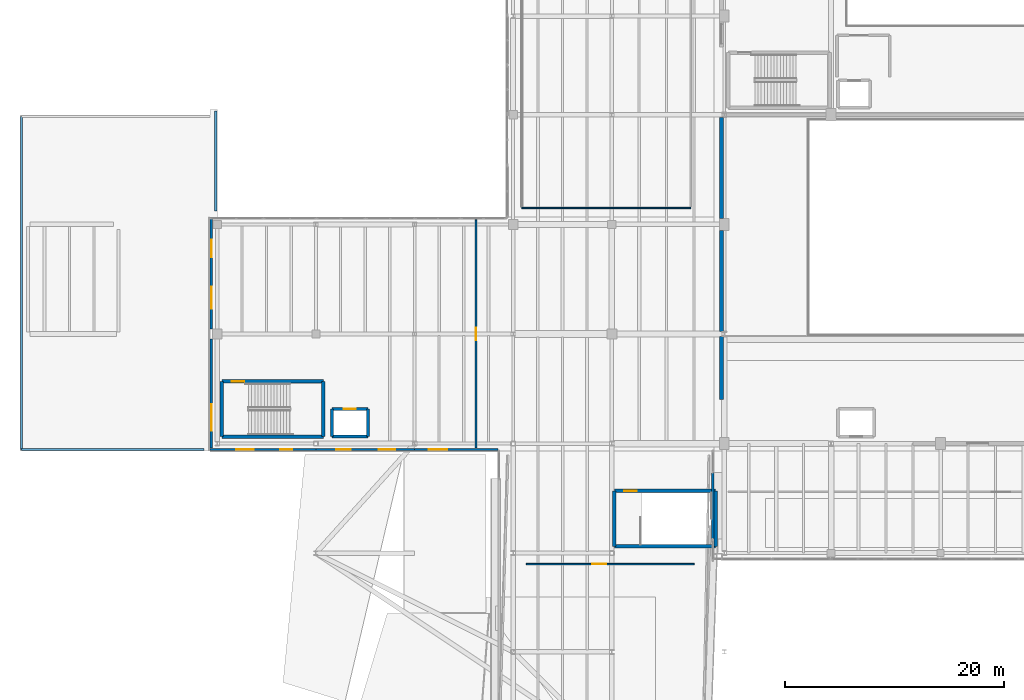
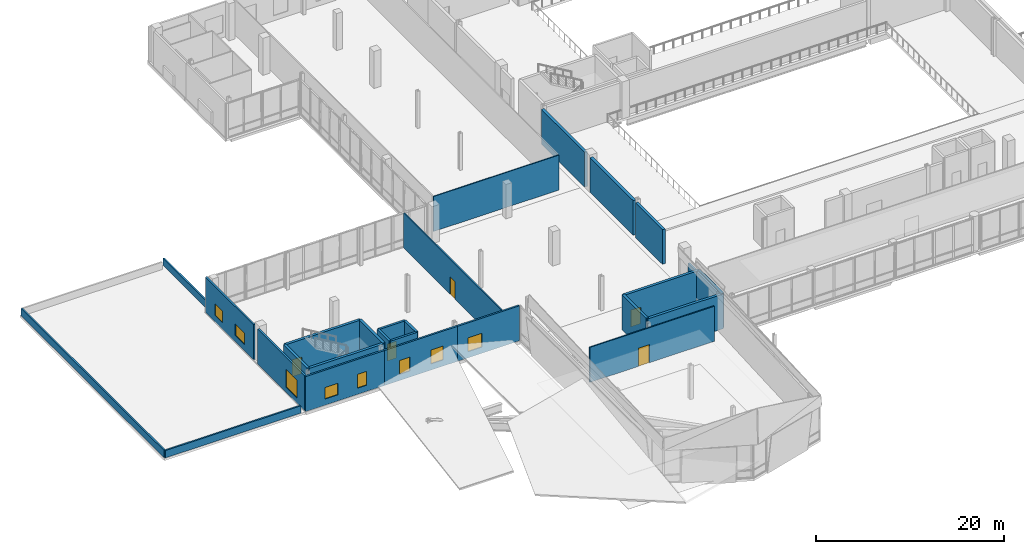
# One storey, part 28 of 41: 27 walls, 8 windows, 5 doors, 13 openings.
"""IFC4 building model written with IfcOpenShell, lengths in metres."""

from ifc_helpers import new_model, si_unit, direction, frame, frame_2d, origin, place, context, subcontext, project, spatial, rectangle, extrude, material, layer, layer_set, type_object, element, fill, save


model = new_model("IFC4")

# Units and contexts
model_context = context("Model", 3, precision=1e-05, world=origin(), true_north=direction((0.0, 1.0)))
body_context = subcontext(model_context, "Body", "Model", "MODEL_VIEW")
ifc_project = project(units=[si_unit("LENGTHUNIT", "METRE"), si_unit("AREAUNIT", "SQUARE_METRE"), si_unit("VOLUMEUNIT", "CUBIC_METRE"), si_unit("PLANEANGLEUNIT", "RADIAN"), si_unit("MASSUNIT", "GRAM", prefix="KILO")], contexts=[model_context])

# Site, building, storey
site_placement = place(None, origin())
site = spatial("IfcSite", under=ifc_project, at=site_placement, CompositionType="ELEMENT")
building_placement = place(site_placement, origin())
building = spatial("IfcBuilding", under=site, at=building_placement, Name="Trimount Lyric Opera House", CompositionType="ELEMENT")
storey_placement = place(building_placement, frame((0.0, 0.0, 20.0)))
storey = spatial("IfcBuildingStorey", under=building, at=storey_placement, Name="L04", CompositionType="ELEMENT", Elevation=20.0)

# Walls
ifc_material_1 = material(Name="Precast concrete C40/50", Category="concrete")
ifc_layer_1 = layer(ifc_material_1, 0.18994140625)
ifc_layer_set_1 = layer_set([ifc_layer_1], Name="WL-PA190")
wall_type_1 = type_object("IfcWallType", Name="WL-PA190", PredefinedType="PARAPET", material=ifc_layer_set_1)
wall_1_placement = place(storey_placement, frame((17.860107421875, 84.360107421875, 0.0), z_axis=(0.0, 0.0, 1.0), x_axis=(0.0, -1.0, 0.0)))
element("IfcWall", 1, at=wall_1_placement, inside=storey, type_object=wall_type_1, Name="L04 roof parapet 018", PredefinedType="PARAPET", context=body_context, shape_type="SweptSolid", body=[
    extrude(rectangle(XDim=9.130126953125, YDim=0.18994140625, at=frame_2d((4.56494140625, 0.0))), origin(), (0.0, 0.0, 1.0), 0.949951171875),
])
wall_2_placement = place(storey_placement, frame((16.77001953125, 53.4599609375, 0.0), z_axis=(0.0, 0.0, 1.0), x_axis=(-1.0, 0.0, 0.0)))
element("IfcWall", 2, at=wall_2_placement, inside=storey, type_object=wall_type_1, Name="L04 roof parapet 019", PredefinedType="PARAPET", context=body_context, shape_type="SweptSolid", body=[
    extrude(rectangle(XDim=16.630126953125, YDim=0.18994140625, at=frame_2d((8.31494140625, 0.0))), origin(), (0.0, 0.0, 1.0), 0.949951171875),
])
wall_3_placement = place(storey_placement, frame((0.139892578125, 53.4599609375, 0.0), z_axis=(0.0, 0.0, 1.0), x_axis=(0.0, 1.0, 0.0)))
element("IfcWall", 3, at=wall_3_placement, inside=storey, type_object=wall_type_1, Name="L04 roof parapet 020", PredefinedType="PARAPET", context=body_context, shape_type="SweptSolid", body=[
    extrude(rectangle(XDim=30.400146484375, YDim=0.18994140625, at=frame_2d((15.2001953125, 0.0))), origin(), (0.0, 0.0, 1.0), 0.949951171875),
])
ifc_material_2 = material(Name="Gypsum Board Partition")
ifc_layer_2 = layer(ifc_material_2, 0.1201171875)
ifc_layer_set_2 = layer_set([ifc_layer_2], Name="WL-PT120")
wall_type_2 = type_object("IfcWallType", Name="WL-PT120", PredefinedType="PARTITIONING", material=ifc_layer_set_2)
wall_4_placement = place(storey_placement, frame((45.800048828125, 75.5, 0.0), z_axis=(0.0, 0.0, 1.0), x_axis=(1.0, 0.0, 0.0)))
element("IfcWall", 4, at=wall_4_placement, inside=storey, type_object=wall_type_2, Name="L04 Civic Engagement & Administration S partition", PredefinedType="PARTITIONING", context=body_context, shape_type="SweptSolid", body=[
    extrude(rectangle(XDim=15.39990234375, YDim=0.1201171875, at=frame_2d((7.699951171875, 0.0))), origin(), (0.0, 0.0, 1.0), 4.5400390625),
])

# Wall, opening, door
ifc_material_3 = material(Name="Fire-Rated Gypsum Board Partition")
ifc_layer_3 = layer(ifc_material_3, 0.14990234375)
ifc_layer_set_3 = layer_set([ifc_layer_3], Name="WL-PT150")
wall_type_3 = type_object("IfcWallType", Name="WL-PT150", PredefinedType="PARTITIONING", material=ifc_layer_set_3)
wall_5_placement = place(storey_placement, frame((61.5, 43.0, 0.0), z_axis=(0.0, 0.0, 1.0), x_axis=(-1.0, 0.0, 0.0)))
wall_5 = element("IfcWall", 5, at=wall_5_placement, inside=storey, type_object=wall_type_3, Name="L04 Crystal Chamber Recital Hall N partition", PredefinedType="PARTITIONING", context=body_context, shape_type="SweptSolid", body=[
    extrude(rectangle(XDim=15.300048828125, YDim=0.14990234375, at=frame_2d((7.64990234375, 0.0))), origin(), (0.0, 0.0, 1.0), 4.5400390625),
])
opening_1_placement = place(wall_5_placement, frame((8.0, 0.0, 0.0)))
opening_1 = element("IfcOpeningElement", 6, at=opening_1_placement, cuts=wall_5, Name="Opening DT-AC1", PredefinedType="OPENING", context=body_context, shape_type="SweptSolid", body=[
    extrude(rectangle(XDim=1.300048828125, YDim=2.35009765625, at=frame_2d((0.64990234375, 1.175048828125))), frame((0.0, 0.0849609375, 0.0), z_axis=(0.0, -1.0, 0.0), x_axis=(1.0, 0.0, 0.0)), (0.0, 0.0, 1.0), 0.169921875),
])
ifc_material_4 = material(Name="Acoustic Steel-Core Timber", Category="steel")
door_type_1 = type_object("IfcDoorType", Name="DT-AC1", OperationType="NOTDEFINED", PredefinedType="DOOR", material=ifc_material_4)
door_1_placement = place(opening_1_placement, origin())
door_1 = element("IfcDoor", 7, at=door_1_placement, inside=storey, type_object=door_type_1, Name="D-235", OperationType="SINGLE_SWING_RIGHT", OverallHeight=2.35009765625, OverallWidth=1.300048828125, PredefinedType="DOOR", context=body_context, shape_type="SweptSolid", body=[
    extrude(rectangle(XDim=1.300048828125, YDim=2.35009765625, at=frame_2d((0.64990234375, 1.175048828125))), frame((0.0, 0.02490234375, 0.0), z_axis=(0.0, -1.0, 0.0), x_axis=(1.0, 0.0, 0.0)), (0.0, 0.0, 1.0), 0.050048828125),
])
fill(opening_1, door_1)

ifc_material_5 = material(Name="Acoustic Double-Stud Gypsum Board")
ifc_layer_4 = layer(ifc_material_5, 0.1650390625)
ifc_layer_set_4 = layer_set([ifc_layer_4], Name="WL-PT165")
wall_type_4 = type_object("IfcWallType", Name="WL-PT165", PredefinedType="PARTITIONING", material=ifc_layer_set_4)
wall_6_placement = place(storey_placement, frame((41.60009765625, 53.60009765625, 0.0), z_axis=(0.0, 0.0, 1.0), x_axis=(0.0, 1.0, 0.0)))
wall_6 = element("IfcWall", 8, at=wall_6_placement, inside=storey, type_object=wall_type_4, Name="L04 Youth Opera & Education Studio E partition", PredefinedType="PARTITIONING", context=body_context, shape_type="SweptSolid", body=[
    extrude(rectangle(XDim=20.7998046875, YDim=0.1650390625, at=frame_2d((10.39990234375, 0.0))), origin(), (0.0, 0.0, 1.0), 4.5400390625),
])
opening_2_placement = place(wall_6_placement, frame((9.840087890625, 0.0, 0.0)))
opening_2 = element("IfcOpeningElement", 9, at=opening_2_placement, cuts=wall_6, Name="Opening DT-AC2", PredefinedType="OPENING", context=body_context, shape_type="SweptSolid", body=[
    extrude(rectangle(XDim=1.1201171875, YDim=2.25, at=frame_2d((0.56005859375, 1.125))), frame((0.0, 0.092529296875, 0.0), z_axis=(0.0, -1.0, 0.0), x_axis=(1.0, 0.0, 0.0)), (0.0, 0.0, 1.0), 0.18505859375),
])
ifc_material_6 = material(Name="Acoustic Steel-Core Timber", Category="steel")
door_type_2 = type_object("IfcDoorType", Name="DT-AC2", OperationType="NOTDEFINED", PredefinedType="DOOR", material=ifc_material_6)
door_2_placement = place(opening_2_placement, origin())
door_2 = element("IfcDoor", 10, at=door_2_placement, inside=storey, type_object=door_type_2, Name="D-236", OperationType="SINGLE_SWING_LEFT", OverallHeight=2.25, OverallWidth=1.1201171875, PredefinedType="DOOR", context=body_context, shape_type="SweptSolid", body=[
    extrude(rectangle(XDim=1.1201171875, YDim=2.25, at=frame_2d((0.56005859375, 1.125))), frame((0.0, 0.02490234375, 0.0), z_axis=(0.0, -1.0, 0.0), x_axis=(1.0, 0.0, 0.0)), (0.0, 0.0, 1.0), 0.050048828125),
])
fill(opening_2, door_2)

# Wall
ifc_material_7 = material(Name="Concrete C40/50", Category="concrete")
ifc_layer_5 = layer(ifc_material_7, 0.280029296875)
ifc_layer_set_5 = layer_set([ifc_layer_5], Name="WL-SH280")
wall_type_5 = type_object("IfcWallType", Name="WL-SH280", PredefinedType="SHEAR", material=ifc_layer_set_5)
wall_7_placement = place(storey_placement, frame((28.4599609375, 54.659912109375, 0.0), z_axis=(0.0, 0.0, 1.0), x_axis=(1.0, 0.0, 0.0)))
element("IfcWall", 11, at=wall_7_placement, inside=storey, type_object=wall_type_5, Name="Lift LF-06 L04 south shaft wall", PredefinedType="SHEAR", context=body_context, shape_type="SweptSolid", body=[
    extrude(rectangle(XDim=3.280029296875, YDim=0.280029296875, at=frame_2d((1.64013671875, 0.0))), origin(), (0.0, 0.0, 1.0), 4.5400390625),
])

# Wall, opening, door
wall_8_placement = place(storey_placement, frame((31.739990234375, 57.139892578125, 0.0), z_axis=(0.0, 0.0, 1.0), x_axis=(-1.0, 0.0, 0.0)))
wall_8 = element("IfcWall", 12, at=wall_8_placement, inside=storey, type_object=wall_type_5, Name="Lift LF-06 L04 north shaft wall", PredefinedType="SHEAR", context=body_context, shape_type="SweptSolid", body=[
    extrude(rectangle(XDim=3.280029296875, YDim=0.280029296875, at=frame_2d((1.64013671875, 0.0))), origin(), (0.0, 0.0, 1.0), 4.5400390625),
])
opening_3_placement = place(wall_8_placement, frame((1.090087890625, 0.0, 0.0)))
opening_3 = element("IfcOpeningElement", 13, at=opening_3_placement, cuts=wall_8, Name="Opening DT-LD1", PredefinedType="OPENING", context=body_context, shape_type="SweptSolid", body=[
    extrude(rectangle(XDim=1.10009765625, YDim=2.199951171875, at=frame_2d((0.550048828125, 1.10009765625))), frame((0.0, 0.14990234375, 0.0), z_axis=(0.0, -1.0, 0.0), x_axis=(1.0, 0.0, 0.0)), (0.0, 0.0, 1.0), 0.300048828125),
])
ifc_material_8 = material(Name="Brushed Stainless Steel", Category="steel")
door_type_3 = type_object("IfcDoorType", Name="DT-LD1", OperationType="SLIDING_TO_LEFT", PredefinedType="DOOR", material=ifc_material_8)
door_3_placement = place(opening_3_placement, origin())
door_3 = element("IfcDoor", 14, at=door_3_placement, inside=storey, type_object=door_type_3, Name="D-112", OperationType="SLIDING_TO_LEFT", OverallHeight=2.199951171875, OverallWidth=1.10009765625, PredefinedType="DOOR", context=body_context, shape_type="SweptSolid", body=[
    extrude(rectangle(XDim=1.10009765625, YDim=2.199951171875, at=frame_2d((0.550048828125, 1.10009765625))), frame((0.0, 0.02490234375, 0.0), z_axis=(0.0, -1.0, 0.0), x_axis=(1.0, 0.0, 0.0)), (0.0, 0.0, 1.0), 0.050048828125),
])
fill(opening_3, door_3)

# Walls
for number, where, z_axis, x_axis, name in (
    (15, (28.4599609375, 57.139892578125, 0.0), (0.0, 0.0, 1.0), (0.0, -1.0, 0.0), "Lift LF-06 L04 west shaft wall"),
    (16, (31.739990234375, 54.659912109375, 0.0), (0.0, 0.0, 1.0), (0.0, 1.0, 0.0), "Lift LF-06 L04 east shaft wall"),
):
    element("IfcWall", number, at=place(storey_placement, frame(where, z_axis=z_axis, x_axis=x_axis)), inside=storey, type_object=wall_type_5, Name=name, PredefinedType="SHEAR", context=body_context, shape_type="SweptSolid", body=[
        extrude(rectangle(XDim=2.47998046875, YDim=0.280029296875, at=frame_2d((1.239990234375, 0.0))), origin(), (0.0, 0.0, 1.0), 4.5400390625),
    ])
ifc_material_9 = material(Name="Concrete C40/50", Category="concrete")
ifc_layer_6 = layer(ifc_material_9, 0.320068359375)
ifc_layer_set_6 = layer_set([ifc_layer_6], Name="WL-SH320")
wall_type_6 = type_object("IfcWallType", Name="WL-SH320", PredefinedType="SHEAR", material=ifc_layer_set_6)
wall_9_placement = place(storey_placement, frame((18.425048828125, 54.625, 0.0), z_axis=(0.0, 0.0, 1.0), x_axis=(1.0, 0.0, 0.0)))
element("IfcWall", 17, at=wall_9_placement, inside=storey, type_object=wall_type_6, Name="K6 L04 south shaft wall", PredefinedType="SHEAR", context=body_context, shape_type="SweptSolid", body=[
    extrude(rectangle(XDim=9.25, YDim=0.320068359375, at=frame_2d((4.625, 0.0))), origin(), (0.0, 0.0, 1.0), 4.5400390625),
])

# Wall, opening, door
wall_10_placement = place(storey_placement, frame((27.675048828125, 59.675048828125, 0.0), z_axis=(0.0, 0.0, 1.0), x_axis=(-1.0, 0.0, 0.0)))
wall_10 = element("IfcWall", 18, at=wall_10_placement, inside=storey, type_object=wall_type_6, Name="K6 L04 north shaft wall", PredefinedType="SHEAR", context=body_context, shape_type="SweptSolid", body=[
    extrude(rectangle(XDim=9.25, YDim=0.320068359375, at=frame_2d((4.625, 0.0))), origin(), (0.0, 0.0, 1.0), 4.5400390625),
])
opening_4_placement = place(wall_10_placement, frame((7.199951171875, 0.0, 0.0)))
opening_4 = element("IfcOpeningElement", 19, at=opening_4_placement, cuts=wall_10, Name="Opening DT-ST1", PredefinedType="OPENING", context=body_context, shape_type="SweptSolid", body=[
    extrude(rectangle(XDim=1.14990234375, YDim=2.199951171875, at=frame_2d((0.574951171875, 1.10009765625))), frame((0.0, 0.169921875, 0.0), z_axis=(0.0, -1.0, 0.0), x_axis=(1.0, 0.0, 0.0)), (0.0, 0.0, 1.0), 0.340087890625),
])
ifc_material_10 = material(Name="Fire-Rated Hollow Steel", Category="steel")
door_type_4 = type_object("IfcDoorType", Name="DT-ST1", OperationType="NOTDEFINED", PredefinedType="DOOR", material=ifc_material_10)
door_4_placement = place(opening_4_placement, origin())
door_4 = element("IfcDoor", 20, at=door_4_placement, inside=storey, type_object=door_type_4, Name="D-050", OperationType="SINGLE_SWING_RIGHT", OverallHeight=2.199951171875, OverallWidth=1.14990234375, PredefinedType="DOOR", context=body_context, shape_type="SweptSolid", body=[
    extrude(rectangle(XDim=1.14990234375, YDim=2.199951171875, at=frame_2d((0.574951171875, 1.10009765625))), frame((0.0, 0.02490234375, 0.0), z_axis=(0.0, -1.0, 0.0), x_axis=(1.0, 0.0, 0.0)), (0.0, 0.0, 1.0), 0.050048828125),
])
fill(opening_4, door_4)

# Walls
for number, where, z_axis, x_axis, name in (
    (21, (18.425048828125, 59.675048828125, 0.0), (0.0, 0.0, 1.0), (0.0, -1.0, 0.0), "K6 L04 west shaft wall"),
    (22, (27.675048828125, 54.625, 0.0), (0.0, 0.0, 1.0), (0.0, 1.0, 0.0), "K6 L04 east shaft wall"),
):
    element("IfcWall", number, at=place(storey_placement, frame(where, z_axis=z_axis, x_axis=x_axis)), inside=storey, type_object=wall_type_6, Name=name, PredefinedType="SHEAR", context=body_context, shape_type="SweptSolid", body=[
        extrude(rectangle(XDim=5.050048828125, YDim=0.320068359375, at=frame_2d((2.52490234375, 0.0))), origin(), (0.0, 0.0, 1.0), 4.5400390625),
    ])
wall_11_placement = place(storey_placement, frame((54.22509765625, 44.625, 0.0), z_axis=(0.0, 0.0, 1.0), x_axis=(1.0, 0.0, 0.0)))
element("IfcWall", 23, at=wall_11_placement, inside=storey, type_object=wall_type_6, Name="K7 L04 south shaft wall", PredefinedType="SHEAR", context=body_context, shape_type="SweptSolid", body=[
    extrude(rectangle(XDim=9.25, YDim=0.320068359375, at=frame_2d((4.625, 0.0))), origin(), (0.0, 0.0, 1.0), 4.510009765625),
])

# Wall, opening, door
wall_12_placement = place(storey_placement, frame((63.47509765625, 49.675048828125, 0.0), z_axis=(0.0, 0.0, 1.0), x_axis=(-1.0, 0.0, 0.0)))
wall_12 = element("IfcWall", 24, at=wall_12_placement, inside=storey, type_object=wall_type_6, Name="K7 L04 north shaft wall", PredefinedType="SHEAR", context=body_context, shape_type="SweptSolid", body=[
    extrude(rectangle(XDim=9.25, YDim=0.320068359375, at=frame_2d((4.625, 0.0))), origin(), (0.0, 0.0, 1.0), 4.510009765625),
])
opening_5_placement = place(wall_12_placement, frame((7.199951171875, 0.0, 0.0)))
opening_5 = element("IfcOpeningElement", 25, at=opening_5_placement, cuts=wall_12, Name="Opening DT-ST1", PredefinedType="OPENING", context=body_context, shape_type="SweptSolid", body=[
    extrude(rectangle(XDim=1.14990234375, YDim=2.199951171875, at=frame_2d((0.574951171875, 1.10009765625))), frame((0.0, 0.169921875, 0.0), z_axis=(0.0, -1.0, 0.0), x_axis=(1.0, 0.0, 0.0)), (0.0, 0.0, 1.0), 0.340087890625),
])
door_5_placement = place(opening_5_placement, origin())
door_5 = element("IfcDoor", 26, at=door_5_placement, inside=storey, type_object=door_type_4, Name="D-056", OperationType="SINGLE_SWING_RIGHT", OverallHeight=2.199951171875, OverallWidth=1.14990234375, PredefinedType="DOOR", context=body_context, shape_type="SweptSolid", body=[
    extrude(rectangle(XDim=1.14990234375, YDim=2.199951171875, at=frame_2d((0.574951171875, 1.10009765625))), frame((0.0, 0.02490234375, 0.0), z_axis=(0.0, -1.0, 0.0), x_axis=(1.0, 0.0, 0.0)), (0.0, 0.0, 1.0), 0.050048828125),
])
fill(opening_5, door_5)

# Walls
wall_13_placement = place(storey_placement, frame((54.22509765625, 49.675048828125, 0.0), z_axis=(0.0, 0.0, 1.0), x_axis=(0.0, -1.0, 0.0)))
element("IfcWall", 27, at=wall_13_placement, inside=storey, type_object=wall_type_6, Name="K7 L04 west shaft wall", PredefinedType="SHEAR", context=body_context, shape_type="SweptSolid", body=[
    extrude(rectangle(XDim=5.050048828125, YDim=0.320068359375, at=frame_2d((2.52490234375, 0.0))), origin(), (0.0, 0.0, 1.0), 4.5400390625),
])
wall_14_placement = place(storey_placement, frame((63.47509765625, 44.625, 0.0), z_axis=(0.0, 0.0, 1.0), x_axis=(0.0, 1.0, 0.0)))
element("IfcWall", 28, at=wall_14_placement, inside=storey, type_object=wall_type_6, Name="K7 L04 east shaft wall", PredefinedType="SHEAR", context=body_context, shape_type="SweptSolid", body=[
    extrude(rectangle(XDim=5.050048828125, YDim=0.320068359375, at=frame_2d((2.52490234375, 0.0))), origin(), (0.0, 0.0, 1.0), 4.510009765625),
])
ifc_material_11 = material(Name="Concrete C40/50", Category="concrete")
ifc_layer_7 = layer(ifc_material_11, 0.35009765625)
ifc_layer_set_7 = layer_set([ifc_layer_7], Name="WL-SH350")
wall_type_7 = type_object("IfcWallType", Name="WL-SH350", PredefinedType="SHEAR", material=ifc_layer_set_7)
wall_15_placement = place(storey_placement, frame((64.0, 58.0, 0.0), z_axis=(0.0, 0.0, 1.0), x_axis=(0.0, 1.0, 0.0)))
element("IfcWall", 29, at=wall_15_placement, inside=storey, type_object=wall_type_7, Name="L04 auditorium west acoustic shear wall", PredefinedType="SHEAR", context=body_context, shape_type="SweptSolid", body=[
    extrude(rectangle(XDim=5.767578125, YDim=0.35009765625, at=frame_2d((2.8837890625, 0.0))), origin(), (0.0, 0.0, 1.0), 4.5),
])
for number, where, z_axis, x_axis, name in (
    (30, (64.0, 64.232421875, 0.0), (0.0, 0.0, 1.0), (0.0, 1.0, 0.0), "L04 auditorium west acoustic shear wall"),
    (31, (64.0, 74.550048828125, 0.0), (0.0, 0.0, 1.0), (0.0, 1.0, 0.0), "L04 auditorium west acoustic shear wall"),
):
    element("IfcWall", number, at=place(storey_placement, frame(where, z_axis=z_axis, x_axis=x_axis)), inside=storey, type_object=wall_type_7, Name=name, PredefinedType="SHEAR", context=body_context, shape_type="SweptSolid", body=[
        extrude(rectangle(XDim=9.217529296875, YDim=0.35009765625, at=frame_2d((4.60888671875, 0.0))), origin(), (0.0, 0.0, 1.0), 4.5),
    ])

# Wall, opening, window
ifc_material_12 = material(Name="Concrete C35/45", Category="concrete")
ifc_layer_8 = layer(ifc_material_12, 0.219970703125)
ifc_layer_set_8 = layer_set([ifc_layer_8], Name="WL-SW220")
wall_type_8 = type_object("IfcWallType", Name="WL-SW220", PredefinedType="SOLIDWALL", material=ifc_layer_set_8)
wall_16_placement = place(storey_placement, frame((43.60009765625, 53.4599609375, 0.0), z_axis=(0.0, 0.0, 1.0), x_axis=(-1.0, 0.0, 0.0)))
wall_16 = element("IfcWall", 32, at=wall_16_placement, inside=storey, type_object=wall_type_8, Name="L04 exterior facade wall 291", PredefinedType="SOLIDWALL", context=body_context, shape_type="SweptSolid", body=[
    extrude(rectangle(XDim=7.60009765625, YDim=0.219970703125, at=frame_2d((3.800048828125, 0.0))), origin(), (0.0, 0.0, 1.0), 4.5400390625),
])
opening_6_placement = place(wall_16_placement, frame((4.6220703125, 0.0, 0.800048828125)))
opening_6 = element("IfcOpeningElement", 33, at=opening_6_placement, cuts=wall_16, Name="Opening WT-19", PredefinedType="OPENING", context=body_context, shape_type="SweptSolid", body=[
    extrude(rectangle(XDim=1.699951171875, YDim=1.800048828125, at=frame_2d((0.85009765625, 0.89990234375))), frame((0.0, 0.1201171875, 0.0), z_axis=(0.0, -1.0, 0.0), x_axis=(1.0, 0.0, 0.0)), (0.0, 0.0, 1.0), 0.239990234375),
])
ifc_material_13 = material(Name="Dressing Suite Acoustic Window")
window_type_1 = type_object("IfcWindowType", Name="WT-19", PartitioningType="SINGLE_PANEL", PredefinedType="WINDOW", material=ifc_material_13)
window_1_placement = place(opening_6_placement, origin())
window_1 = element("IfcWindow", 34, at=window_1_placement, inside=storey, type_object=window_type_1, Name="Window WT-19-0253", OverallHeight=1.800048828125, OverallWidth=1.699951171875, PartitioningType="SINGLE_PANEL", PredefinedType="WINDOW", context=body_context, shape_type="SweptSolid", body=[
    extrude(rectangle(XDim=1.699951171875, YDim=1.800048828125, at=frame_2d((0.85009765625, 0.89990234375))), frame((0.0, 0.030029296875, 0.0), z_axis=(0.0, -1.0, 0.0), x_axis=(1.0, 0.0, 0.0)), (0.0, 0.0, 1.0), 0.06005859375),
])
fill(opening_6, window_1)

# Wall, openings, windows
wall_17_placement = place(storey_placement, frame((36.0, 53.4599609375, 0.0), z_axis=(0.0, 0.0, 1.0), x_axis=(-1.0, 0.0, 0.0)))
wall_17 = element("IfcWall", 35, at=wall_17_placement, inside=storey, type_object=wall_type_8, Name="L04 exterior facade wall 292", PredefinedType="SOLIDWALL", context=body_context, shape_type="SweptSolid", body=[
    extrude(rectangle(XDim=9.0, YDim=0.219970703125, at=frame_2d((4.5, 0.0))), origin(), (0.0, 0.0, 1.0), 4.5400390625),
])
opening_7_placement = place(wall_17_placement, frame((1.77001953125, 0.0, 0.800048828125)))
opening_7 = element("IfcOpeningElement", 36, at=opening_7_placement, cuts=wall_17, Name="Opening WT-20", PredefinedType="OPENING", context=body_context, shape_type="SweptSolid", body=[
    extrude(rectangle(XDim=1.5, YDim=1.800048828125, at=frame_2d((0.75, 0.89990234375))), frame((0.0, 0.1201171875, 0.0), z_axis=(0.0, -1.0, 0.0), x_axis=(1.0, 0.0, 0.0)), (0.0, 0.0, 1.0), 0.239990234375),
])
opening_8_placement = place(wall_17_placement, frame((5.830078125, 0.0, 0.800048828125)))
opening_8 = element("IfcOpeningElement", 37, at=opening_8_placement, cuts=wall_17, Name="Opening WT-21", PredefinedType="OPENING", context=body_context, shape_type="SweptSolid", body=[
    extrude(rectangle(XDim=1.300048828125, YDim=1.800048828125, at=frame_2d((0.64990234375, 0.89990234375))), frame((0.0, 0.1201171875, 0.0), z_axis=(0.0, -1.0, 0.0), x_axis=(1.0, 0.0, 0.0)), (0.0, 0.0, 1.0), 0.239990234375),
])
ifc_material_14 = material(Name="Dressing Suite Acoustic Window")
window_type_2 = type_object("IfcWindowType", Name="WT-20", PartitioningType="SINGLE_PANEL", PredefinedType="WINDOW", material=ifc_material_14)
window_2_placement = place(opening_7_placement, origin())
window_2 = element("IfcWindow", 38, at=window_2_placement, inside=storey, type_object=window_type_2, Name="Window WT-20-0254", OverallHeight=1.800048828125, OverallWidth=1.5, PartitioningType="SINGLE_PANEL", PredefinedType="WINDOW", context=body_context, shape_type="SweptSolid", body=[
    extrude(rectangle(XDim=1.5, YDim=1.800048828125, at=frame_2d((0.75, 0.89990234375))), frame((0.0, 0.030029296875, 0.0), z_axis=(0.0, -1.0, 0.0), x_axis=(1.0, 0.0, 0.0)), (0.0, 0.0, 1.0), 0.06005859375),
])
fill(opening_7, window_2)
ifc_material_15 = material(Name="Dressing Suite Acoustic Window")
window_type_3 = type_object("IfcWindowType", Name="WT-21", PartitioningType="SINGLE_PANEL", PredefinedType="WINDOW", material=ifc_material_15)
window_3_placement = place(opening_8_placement, origin())
window_3 = element("IfcWindow", 39, at=window_3_placement, inside=storey, type_object=window_type_3, Name="Window WT-21-0255", OverallHeight=1.800048828125, OverallWidth=1.300048828125, PartitioningType="SINGLE_PANEL", PredefinedType="WINDOW", context=body_context, shape_type="SweptSolid", body=[
    extrude(rectangle(XDim=1.300048828125, YDim=1.800048828125, at=frame_2d((0.64990234375, 0.89990234375))), frame((0.0, 0.030029296875, 0.0), z_axis=(0.0, -1.0, 0.0), x_axis=(1.0, 0.0, 0.0)), (0.0, 0.0, 1.0), 0.06005859375),
])
fill(opening_8, window_3)

wall_18_placement = place(storey_placement, frame((27.0, 53.4599609375, 0.0), z_axis=(0.0, 0.0, 1.0), x_axis=(-1.0, 0.0, 0.0)))
wall_18 = element("IfcWall", 40, at=wall_18_placement, inside=storey, type_object=wall_type_8, Name="L04 exterior facade wall 293", PredefinedType="SOLIDWALL", context=body_context, shape_type="SweptSolid", body=[
    extrude(rectangle(XDim=9.679931640625, YDim=0.219970703125, at=frame_2d((4.83984375, 0.0))), origin(), (0.0, 0.0, 1.0), 4.5400390625),
])
opening_9_placement = place(wall_18_placement, frame((2.160400390625, 0.0, 0.800048828125)))
opening_9 = element("IfcOpeningElement", 41, at=opening_9_placement, cuts=wall_18, Name="Opening WT-22", PredefinedType="OPENING", context=body_context, shape_type="SweptSolid", body=[
    extrude(rectangle(XDim=1.10009765625, YDim=1.800048828125, at=frame_2d((0.550048828125, 0.89990234375))), frame((0.0, 0.1201171875, 0.0), z_axis=(0.0, -1.0, 0.0), x_axis=(1.0, 0.0, 0.0)), (0.0, 0.0, 1.0), 0.239990234375),
])
opening_10_placement = place(wall_18_placement, frame((5.669677734375, 0.0, 0.800048828125)))
opening_10 = element("IfcOpeningElement", 42, at=opening_10_placement, cuts=wall_18, Name="Opening WT-26", PredefinedType="OPENING", context=body_context, shape_type="SweptSolid", body=[
    extrude(rectangle(XDim=1.60009765625, YDim=1.5, at=frame_2d((0.800048828125, 0.75))), frame((0.0, 0.1201171875, 0.0), z_axis=(0.0, -1.0, 0.0), x_axis=(1.0, 0.0, 0.0)), (0.0, 0.0, 1.0), 0.239990234375),
])
ifc_material_16 = material(Name="Practice Room Acoustic Window")
window_type_4 = type_object("IfcWindowType", Name="WT-22", PartitioningType="SINGLE_PANEL", PredefinedType="WINDOW", material=ifc_material_16)
window_4_placement = place(opening_9_placement, origin())
window_4 = element("IfcWindow", 43, at=window_4_placement, inside=storey, type_object=window_type_4, Name="Window WT-22-0256", OverallHeight=1.800048828125, OverallWidth=1.10009765625, PartitioningType="SINGLE_PANEL", PredefinedType="WINDOW", context=body_context, shape_type="SweptSolid", body=[
    extrude(rectangle(XDim=1.10009765625, YDim=1.800048828125, at=frame_2d((0.550048828125, 0.89990234375))), frame((0.0, 0.030029296875, 0.0), z_axis=(0.0, -1.0, 0.0), x_axis=(1.0, 0.0, 0.0)), (0.0, 0.0, 1.0), 0.06005859375),
])
fill(opening_9, window_4)
ifc_material_17 = material(Name="Clerestory Ribbon Glazing", Category="glass")
window_type_5 = type_object("IfcWindowType", Name="WT-26", PartitioningType="SINGLE_PANEL", PredefinedType="WINDOW", material=ifc_material_17)
window_5_placement = place(opening_10_placement, origin())
window_5 = element("IfcWindow", 44, at=window_5_placement, inside=storey, type_object=window_type_5, Name="Window WT-26-0257", OverallHeight=1.5, OverallWidth=1.60009765625, PartitioningType="SINGLE_PANEL", PredefinedType="WINDOW", context=body_context, shape_type="SweptSolid", body=[
    extrude(rectangle(XDim=1.60009765625, YDim=1.5, at=frame_2d((0.800048828125, 0.75))), frame((0.0, 0.030029296875, 0.0), z_axis=(0.0, -1.0, 0.0), x_axis=(1.0, 0.0, 0.0)), (0.0, 0.0, 1.0), 0.06005859375),
])
fill(opening_10, window_5)

# Wall, opening, window
wall_19_placement = place(storey_placement, frame((17.4599609375, 53.574951171875, 0.0), z_axis=(0.0, 0.0, 1.0), x_axis=(0.0, 1.0, 0.0)))
wall_19 = element("IfcWall", 45, at=wall_19_placement, inside=storey, type_object=wall_type_8, Name="L04 exterior facade wall 294", PredefinedType="SOLIDWALL", context=body_context, shape_type="SweptSolid", body=[
    extrude(rectangle(XDim=9.97509765625, YDim=0.219970703125, at=frame_2d((4.987548828125, 0.0))), origin(), (0.0, 0.0, 1.0), 4.5400390625),
])
opening_11_placement = place(wall_19_placement, frame((1.593017578125, 0.0, 0.64990234375)))
opening_11 = element("IfcOpeningElement", 46, at=opening_11_placement, cuts=wall_19, Name="Opening WT-01", PredefinedType="OPENING", context=body_context, shape_type="SweptSolid", body=[
    extrude(rectangle(XDim=2.39990234375, YDim=2.300048828125, at=frame_2d((1.199951171875, 1.14990234375))), frame((0.0, 0.1201171875, 0.0), z_axis=(0.0, -1.0, 0.0), x_axis=(1.0, 0.0, 0.0)), (0.0, 0.0, 1.0), 0.239990234375),
])
ifc_material_18 = material(Name="Triple Acoustic Glazing in Aluminium Frame", Category="aluminium")
window_type_6 = type_object("IfcWindowType", Name="WT-01", PartitioningType="DOUBLE_PANEL_VERTICAL", PredefinedType="WINDOW", material=ifc_material_18)
window_6_placement = place(opening_11_placement, origin())
window_6 = element("IfcWindow", 47, at=window_6_placement, inside=storey, type_object=window_type_6, Name="Window WT-01-0258", OverallHeight=2.300048828125, OverallWidth=2.39990234375, PartitioningType="SINGLE_PANEL", PredefinedType="WINDOW", context=body_context, shape_type="SweptSolid", body=[
    extrude(rectangle(XDim=2.39990234375, YDim=2.300048828125, at=frame_2d((1.199951171875, 1.14990234375))), frame((0.0, 0.030029296875, 0.0), z_axis=(0.0, -1.0, 0.0), x_axis=(1.0, 0.0, 0.0)), (0.0, 0.0, 1.0), 0.06005859375),
])
fill(opening_11, window_6)

# Wall, openings, windows
wall_20_placement = place(storey_placement, frame((17.4599609375, 64.449951171875, 0.0), z_axis=(0.0, 0.0, 1.0), x_axis=(0.0, 1.0, 0.0)))
wall_20 = element("IfcWall", 48, at=wall_20_placement, inside=storey, type_object=wall_type_8, Name="L04 exterior facade wall 295", PredefinedType="SOLIDWALL", context=body_context, shape_type="SweptSolid", body=[
    extrude(rectangle(XDim=10.22998046875, YDim=0.219970703125, at=frame_2d((5.114990234375, 0.0))), origin(), (0.0, 0.0, 1.0), 4.5400390625),
])
opening_12_placement = place(wall_20_placement, frame((1.864501953125, 0.0, 0.800048828125)))
opening_12 = element("IfcOpeningElement", 49, at=opening_12_placement, cuts=wall_20, Name="Opening WT-25", PredefinedType="OPENING", context=body_context, shape_type="SweptSolid", body=[
    extrude(rectangle(XDim=2.0, YDim=1.5, at=frame_2d((1.0, 0.75))), frame((0.0, 0.1201171875, 0.0), z_axis=(0.0, -1.0, 0.0), x_axis=(1.0, 0.0, 0.0)), (0.0, 0.0, 1.0), 0.239990234375),
])
opening_13_placement = place(wall_20_placement, frame((6.565673828125, 0.0, 0.800048828125)))
opening_13 = element("IfcOpeningElement", 50, at=opening_13_placement, cuts=wall_20, Name="Opening WT-26", PredefinedType="OPENING", context=body_context, shape_type="SweptSolid", body=[
    extrude(rectangle(XDim=1.60009765625, YDim=1.5, at=frame_2d((0.800048828125, 0.75))), frame((0.0, 0.1201171875, 0.0), z_axis=(0.0, -1.0, 0.0), x_axis=(1.0, 0.0, 0.0)), (0.0, 0.0, 1.0), 0.239990234375),
])
ifc_material_19 = material(Name="Clerestory Ribbon Glazing", Category="glass")
window_type_7 = type_object("IfcWindowType", Name="WT-25", PartitioningType="DOUBLE_PANEL_HORIZONTAL", PredefinedType="WINDOW", material=ifc_material_19)
window_7_placement = place(opening_12_placement, origin())
window_7 = element("IfcWindow", 51, at=window_7_placement, inside=storey, type_object=window_type_7, Name="Window WT-25-0259", OverallHeight=1.5, OverallWidth=2.0, PartitioningType="SINGLE_PANEL", PredefinedType="WINDOW", context=body_context, shape_type="SweptSolid", body=[
    extrude(rectangle(XDim=2.0, YDim=1.5, at=frame_2d((1.0, 0.75))), frame((0.0, 0.030029296875, 0.0), z_axis=(0.0, -1.0, 0.0), x_axis=(1.0, 0.0, 0.0)), (0.0, 0.0, 1.0), 0.06005859375),
])
fill(opening_12, window_7)
window_8_placement = place(opening_13_placement, origin())
window_8 = element("IfcWindow", 52, at=window_8_placement, inside=storey, type_object=window_type_5, Name="Window WT-26-0260", OverallHeight=1.5, OverallWidth=1.60009765625, PartitioningType="SINGLE_PANEL", PredefinedType="WINDOW", context=body_context, shape_type="SweptSolid", body=[
    extrude(rectangle(XDim=1.60009765625, YDim=1.5, at=frame_2d((0.800048828125, 0.75))), frame((0.0, 0.030029296875, 0.0), z_axis=(0.0, -1.0, 0.0), x_axis=(1.0, 0.0, 0.0)), (0.0, 0.0, 1.0), 0.06005859375),
])
fill(opening_13, window_8)

# Wall
wall_21_placement = place(storey_placement, frame((63.2099609375, 45.300048828125, 0.0), z_axis=(0.0, 0.0, 1.0), x_axis=(0.0, 1.0, 0.0)))
element("IfcWall", 53, at=wall_21_placement, inside=storey, type_object=wall_type_8, Name="L04 broken-crystal backup wall 313", PredefinedType="SOLIDWALL", context=body_context, shape_type="SweptSolid", body=[
    extrude(rectangle(XDim=6.0400390625, YDim=0.219970703125, at=frame_2d((3.02001953125, 0.0))), origin(), (0.0, 0.0, 1.0), 4.449951171875),
])

save(model, "model.ifc")
